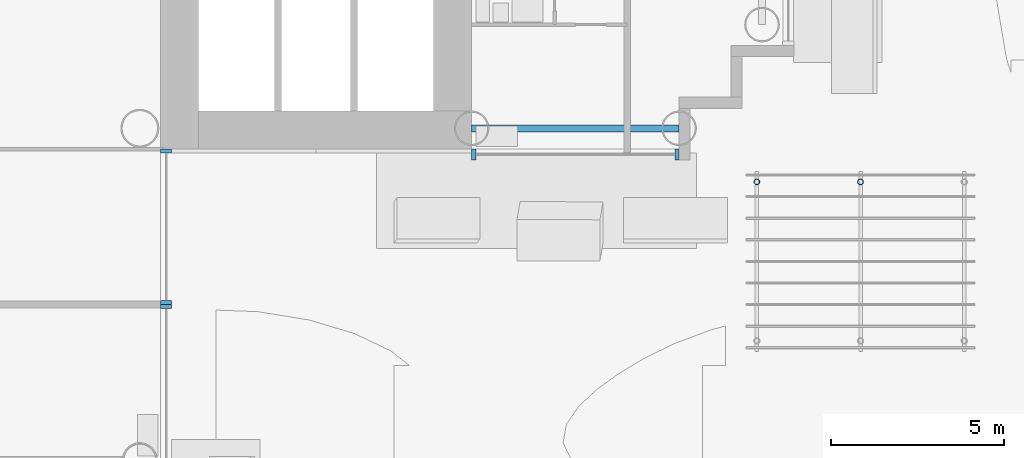
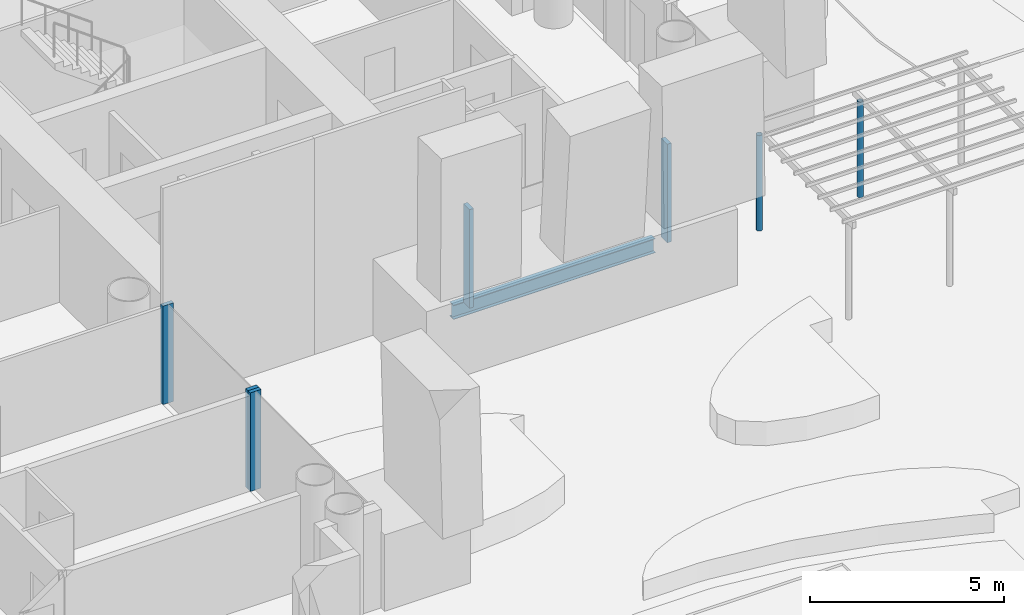
# One storey, part 7 of 40: 7 members, 1 beam, 3 elements without a shape of their own.
"""IFC4 building model written with IfcOpenShell, lengths in metres."""

from ifc_helpers import new_model, si_unit, direction, frame, origin, origin_2d, place, context, subcontext, project, spatial, rectangle, hollow_circle, i_section, extrude, material, layer, layer_set, material_profile, profile_set, type_object, element, aggregate, save


model = new_model("IFC4")

# Units and contexts
model_context = context("Model", 3, precision=1e-05, world=origin(), true_north=direction((0.0, 1.0)))
body_context = subcontext(model_context, "Body", "Model", "MODEL_VIEW")
ifc_project = project(units=[si_unit("LENGTHUNIT", "METRE"), si_unit("AREAUNIT", "SQUARE_METRE"), si_unit("VOLUMEUNIT", "CUBIC_METRE"), si_unit("PLANEANGLEUNIT", "RADIAN"), si_unit("MASSUNIT", "GRAM", prefix="KILO")], contexts=[model_context])

# Site, building, storey
site_placement = place(None, origin())
site = spatial("IfcSite", under=ifc_project, at=site_placement, CompositionType="ELEMENT")
building_placement = place(site_placement, origin())
building = spatial("IfcBuilding", under=site, at=building_placement, Name="Ipe Terrace Towers", CompositionType="ELEMENT")
storey_placement = place(building_placement, frame((0.0, 0.0, 24.5)))
storey = spatial("IfcBuildingStorey", under=building, at=storey_placement, Name="L05", CompositionType="ELEMENT", Elevation=24.5)

# Beam
ifc_material_1 = material(Name="Steel S355", Category="steel")
ifc_material_profile_1 = material_profile(ifc_material_1, i_section(OverallWidth=0.199951171875, OverallDepth=0.449951171875, WebThickness=0.009033203125, FlangeThickness=0.013916015625, at=origin_2d()), Name="H-450x200x9x14")
ifc_profile_set_1 = profile_set([ifc_material_profile_1], Name="Steel S355")
beam_type = type_object("IfcBeamType", Name="H08 EDGE BEAM H-450x200x9x14", PredefinedType="BEAM", material=ifc_profile_set_1)
beam_placement = place(storey_placement, frame((-20.25, -6.14990234375, -0.625), z_axis=(1.0, 0.0, 0.0), x_axis=(0.0, 1.0, 0.0)))
element("IfcBeam", 1, at=beam_placement, inside=storey, type_object=beam_type, Name="Edge beam T1-EB-A01-A03", PredefinedType="BEAM", context=body_context, shape_type="SweptSolid", body=[
    extrude(i_section(OverallWidth=0.199951171875, OverallDepth=0.449951171875, WebThickness=0.009033203125, FlangeThickness=0.013916015625, at=origin_2d()), origin(), (0.0, 0.0, 1.0), 6.0),
])

# Members
ifc_material_2 = material(Name="Steel S355", Category="steel")
ifc_material_profile_2 = material_profile(ifc_material_2, hollow_circle(Radius=0.083984375, WallThickness=0.008056640625, at=origin_2d()), Name="PERGOLA POST CHS 168")
ifc_profile_set_2 = profile_set([ifc_material_profile_2], Name="Steel S355")
member_type_1 = type_object("IfcMemberType", Name="PERGOLA POST CHS 168", PredefinedType="POST", material=ifc_profile_set_2)
for number, where, z_axis, x_axis, name in (
    (2, (-12.0, -7.699951171875, -0.02001953125), (0.0, 0.0, 1.0), (1.0, 0.0, 0.0), "pergola post"),
    (3, (-9.0, -7.699951171875, -0.02001953125), (0.0, 0.0, 1.0), (1.0, 0.0, 0.0), "pergola post"),
):
    element("IfcMember", number, at=place(storey_placement, frame(where, z_axis=z_axis, x_axis=x_axis)), inside=storey, type_object=member_type_1, Name=name, PredefinedType="POST", context=body_context, shape_type="SweptSolid", body=[
        extrude(hollow_circle(Radius=0.083984375, WallThickness=0.008056640625, at=origin_2d()), origin(), (0.0, 0.0, 1.0), 3.0),
    ])

# Curtain wall, member
ifc_material_3 = material(Name="Aluminium alloy 6063-T6", Category="aluminium")
ifc_layer = layer(ifc_material_3, 0.320068359375)
ifc_layer_set = layer_set([ifc_layer], Name="TOWER UNITISED CURTAIN WALL")
curtain_wall_type = type_object("IfcCurtainWallType", Name="TOWER UNITISED CURTAIN WALL", PredefinedType="NOTDEFINED", material=ifc_layer_set)
curtain_wall_1_placement = place(storey_placement, origin())
curtain_wall_1 = element("IfcCurtainWall", 4, at=curtain_wall_1_placement, inside=storey, type_object=curtain_wall_type, Name="T1-CW-L05-17a curtain wall", PredefinedType="NOTDEFINED")
ifc_material_4 = material(Name="Aluminium alloy 6063-T6", Category="aluminium")
ifc_material_profile_3 = material_profile(ifc_material_4, rectangle(XDim=0.320068359375, YDim=0.1201171875, at=origin_2d()), Name="TOWER UNITISED CORNER MULLION 320 x 120")
ifc_profile_set_3 = profile_set([ifc_material_profile_3], Name="Aluminium alloy 6063-T6")
member_type_2 = type_object("IfcMemberType", Name="TOWER UNITISED CORNER MULLION 320 x 120", PredefinedType="MULLION", material=ifc_profile_set_3)
member_1_placement = place(storey_placement, frame((-29.090087890625, -11.31005859375, 0.0), z_axis=(0.0, 0.0, 1.0), x_axis=(1.0, 0.0, 0.0)))
member_1 = element("IfcMember", 5, at=member_1_placement, type_object=member_type_2, Name="T1-CW-L05-17a mullion 2", PredefinedType="MULLION", context=body_context, shape_type="SweptSolid", body=[
    extrude(rectangle(XDim=0.320068359375, YDim=0.1201171875, at=origin_2d()), origin(), (0.0, 0.0, 1.0), 3.10009765625),
])
aggregate(curtain_wall_1, [member_1])

# Curtain wall, members
curtain_wall_2_placement = place(storey_placement, origin())
curtain_wall_2 = element("IfcCurtainWall", 6, at=curtain_wall_2_placement, inside=storey, type_object=curtain_wall_type, Name="T1-CW-L05-18a curtain wall", PredefinedType="NOTDEFINED")
member_2_placement = place(storey_placement, frame((-29.090087890625, -11.18994140625, 0.0), z_axis=(0.0, 0.0, 1.0), x_axis=(1.0, 0.0, 0.0)))
member_2 = element("IfcMember", 7, at=member_2_placement, type_object=member_type_2, Name="T1-CW-L05-18a mullion 1", PredefinedType="MULLION", context=body_context, shape_type="SweptSolid", body=[
    extrude(rectangle(XDim=0.320068359375, YDim=0.1201171875, at=origin_2d()), origin(), (0.0, 0.0, 1.0), 3.10009765625),
])
member_3_placement = place(storey_placement, frame((-29.090087890625, -6.81005859375, 0.0), z_axis=(0.0, 0.0, 1.0), x_axis=(1.0, 0.0, 0.0)))
member_3 = element("IfcMember", 8, at=member_3_placement, type_object=member_type_2, Name="T1-CW-L05-18a mullion 2", PredefinedType="MULLION", context=body_context, shape_type="SweptSolid", body=[
    extrude(rectangle(XDim=0.320068359375, YDim=0.1201171875, at=origin_2d()), origin(), (0.0, 0.0, 1.0), 3.10009765625),
])
aggregate(curtain_wall_2, [member_2, member_3])

curtain_wall_3_placement = place(storey_placement, origin())
curtain_wall_3 = element("IfcCurtainWall", 9, at=curtain_wall_3_placement, inside=storey, type_object=curtain_wall_type, Name="T1-CW-L05-20b curtain wall", PredefinedType="NOTDEFINED")
member_4_placement = place(storey_placement, frame((-20.18896484375, -6.909912109375, 0.0), z_axis=(0.0, 0.0, 1.0), x_axis=(0.0, -1.0, 0.0)))
member_4 = element("IfcMember", 10, at=member_4_placement, type_object=member_type_2, Name="T1-CW-L05-20b mullion 1", PredefinedType="MULLION", context=body_context, shape_type="SweptSolid", body=[
    extrude(rectangle(XDim=0.320068359375, YDim=0.1201171875, at=origin_2d()), origin(), (0.0, 0.0, 1.0), 3.10009765625),
])
member_5_placement = place(storey_placement, frame((-14.31005859375, -6.909912109375, 0.0), z_axis=(0.0, 0.0, 1.0), x_axis=(0.0, -1.0, 0.0)))
member_5 = element("IfcMember", 11, at=member_5_placement, type_object=member_type_2, Name="T1-CW-L05-20b mullion 2", PredefinedType="MULLION", context=body_context, shape_type="SweptSolid", body=[
    extrude(rectangle(XDim=0.320068359375, YDim=0.1201171875, at=origin_2d()), origin(), (0.0, 0.0, 1.0), 3.10009765625),
])
aggregate(curtain_wall_3, [member_4, member_5])

save(model, "model.ifc")
